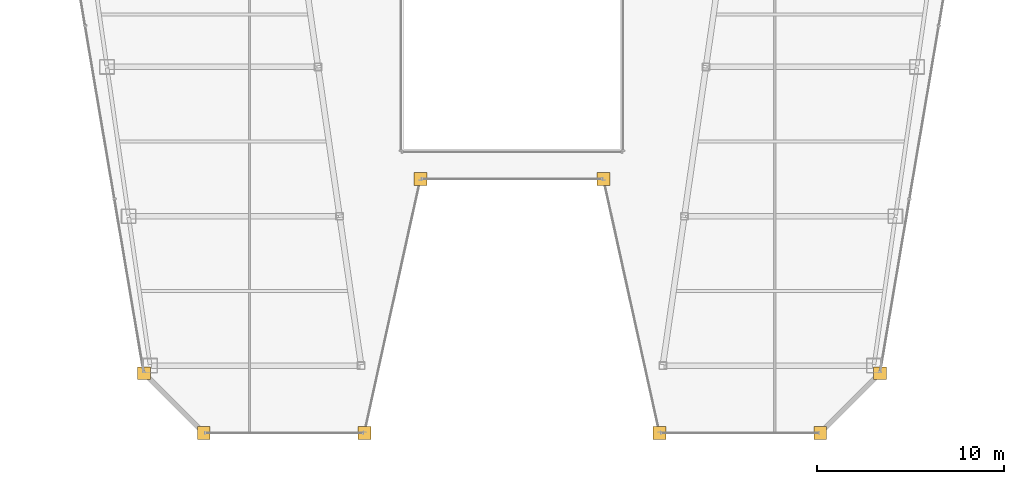
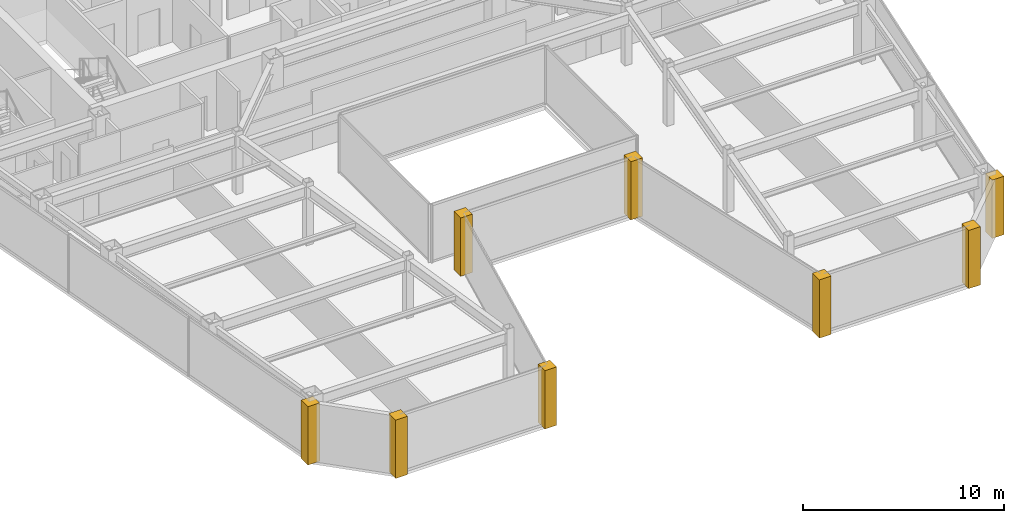
# One storey, part 33 of 35: 8 coverings.
"""IFC4 building model written with IfcOpenShell, lengths in metres."""

from ifc_helpers import new_model, si_unit, direction, frame, origin, place, context, subcontext, project, spatial, polyline, outline, extrude, material, layer, layer_set, type_object, element, save


model = new_model("IFC4")

# Units and contexts
model_context = context("Model", 3, precision=1e-05, world=origin(), true_north=direction((0.0, 1.0)))
body_context = subcontext(model_context, "Body", "Model", "MODEL_VIEW")
ifc_project = project(units=[si_unit("LENGTHUNIT", "METRE"), si_unit("AREAUNIT", "SQUARE_METRE"), si_unit("VOLUMEUNIT", "CUBIC_METRE"), si_unit("PLANEANGLEUNIT", "RADIAN"), si_unit("MASSUNIT", "GRAM", prefix="KILO")], contexts=[model_context])

# Site, building, storey
site_placement = place(None, origin())
site = spatial("IfcSite", under=ifc_project, at=site_placement, CompositionType="ELEMENT")
building_placement = place(site_placement, origin())
building = spatial("IfcBuilding", under=site, at=building_placement, Name="Saevonmaru Cultural Tower", CompositionType="ELEMENT")
storey_placement = place(building_placement, frame((0.0, 0.0, 217.0)))
storey = spatial("IfcBuildingStorey", under=building, at=storey_placement, Name="L50", CompositionType="ELEMENT", Elevation=217.0)

# Coverings
ifc_material = material(Name="Satin Bronze Anodised Aluminium", Category="aluminium")
ifc_layer = layer(ifc_material, 0.679931640625, Name="Satin Bronze Anodised Aluminium")
ifc_layer_set = layer_set([ifc_layer], Name="Satin Bronze Anodised Aluminium")
covering_type = type_object("IfcCoveringType", Name="CV-CORNER-CLAD", PredefinedType="CLADDING", material=ifc_layer_set)
covering_1_placement = place(storey_placement, origin())
element("IfcCovering", 1, at=covering_1_placement, inside=storey, type_object=covering_type, Name="L50 Tower Bronze Corner Cladding Pier 1", PredefinedType="CLADDING", context=body_context, shape_type="SweptSolid", body=[
    extrude(outline(polyline([(9.9580078125, 15.260009765625), (10.637939453125, 15.260009765625), (10.637939453125, 15.93994140625), (9.9580078125, 15.93994140625), (9.9580078125, 15.260009765625)])), origin(), (0.0, 0.0, 1.0), 3.550048828125),
])
covering_2_placement = place(storey_placement, origin())
element("IfcCovering", 2, at=covering_2_placement, inside=storey, type_object=covering_type, Name="L50 Tower Bronze Corner Cladding Pier 2", PredefinedType="CLADDING", context=body_context, shape_type="SweptSolid", body=[
    extrude(outline(polyline([(13.157958984375, 12.06005859375), (13.837890625, 12.06005859375), (13.837890625, 12.739990234375), (13.157958984375, 12.739990234375), (13.157958984375, 12.06005859375)])), origin(), (0.0, 0.0, 1.0), 3.550048828125),
])
covering_3_placement = place(storey_placement, origin())
element("IfcCovering", 3, at=covering_3_placement, inside=storey, type_object=covering_type, Name="L50 Tower Bronze Corner Cladding Pier 3", PredefinedType="CLADDING", context=body_context, shape_type="SweptSolid", body=[
    extrude(outline(polyline([(21.758056640625, 12.06005859375), (22.43798828125, 12.06005859375), (22.43798828125, 12.739990234375), (21.758056640625, 12.739990234375), (21.758056640625, 12.06005859375)])), origin(), (0.0, 0.0, 1.0), 3.550048828125),
])
covering_4_placement = place(storey_placement, origin())
element("IfcCovering", 4, at=covering_4_placement, inside=storey, type_object=covering_type, Name="L50 Tower Bronze Corner Cladding Pier 4", PredefinedType="CLADDING", context=body_context, shape_type="SweptSolid", body=[
    extrude(outline(polyline([(24.758056640625, 25.659912109375), (25.43798828125, 25.659912109375), (25.43798828125, 26.340087890625), (24.758056640625, 26.340087890625), (24.758056640625, 25.659912109375)])), origin(), (0.0, 0.0, 1.0), 3.550048828125),
])
covering_5_placement = place(storey_placement, origin())
element("IfcCovering", 5, at=covering_5_placement, inside=storey, type_object=covering_type, Name="L50 Tower Bronze Corner Cladding Pier 5", PredefinedType="CLADDING", context=body_context, shape_type="SweptSolid", body=[
    extrude(outline(polyline([(34.56201171875, 25.659912109375), (35.241943359375, 25.659912109375), (35.241943359375, 26.340087890625), (34.56201171875, 26.340087890625), (34.56201171875, 25.659912109375)])), origin(), (0.0, 0.0, 1.0), 3.550048828125),
])
covering_6_placement = place(storey_placement, origin())
element("IfcCovering", 6, at=covering_6_placement, inside=storey, type_object=covering_type, Name="L50 Tower Bronze Corner Cladding Pier 6", PredefinedType="CLADDING", context=body_context, shape_type="SweptSolid", body=[
    extrude(outline(polyline([(37.56201171875, 12.06005859375), (38.241943359375, 12.06005859375), (38.241943359375, 12.739990234375), (37.56201171875, 12.739990234375), (37.56201171875, 12.06005859375)])), origin(), (0.0, 0.0, 1.0), 3.550048828125),
])
covering_7_placement = place(storey_placement, origin())
element("IfcCovering", 7, at=covering_7_placement, inside=storey, type_object=covering_type, Name="L50 Tower Bronze Corner Cladding Pier 7", PredefinedType="CLADDING", context=body_context, shape_type="SweptSolid", body=[
    extrude(outline(polyline([(46.162109375, 12.06005859375), (46.842041015625, 12.06005859375), (46.842041015625, 12.739990234375), (46.162109375, 12.739990234375), (46.162109375, 12.06005859375)])), origin(), (0.0, 0.0, 1.0), 3.550048828125),
])
covering_8_placement = place(storey_placement, origin())
element("IfcCovering", 8, at=covering_8_placement, inside=storey, type_object=covering_type, Name="L50 Tower Bronze Corner Cladding Pier 8", PredefinedType="CLADDING", context=body_context, shape_type="SweptSolid", body=[
    extrude(outline(polyline([(49.362060546875, 15.260009765625), (50.0419921875, 15.260009765625), (50.0419921875, 15.93994140625), (49.362060546875, 15.93994140625), (49.362060546875, 15.260009765625)])), origin(), (0.0, 0.0, 1.0), 3.550048828125),
])

save(model, "model.ifc")
